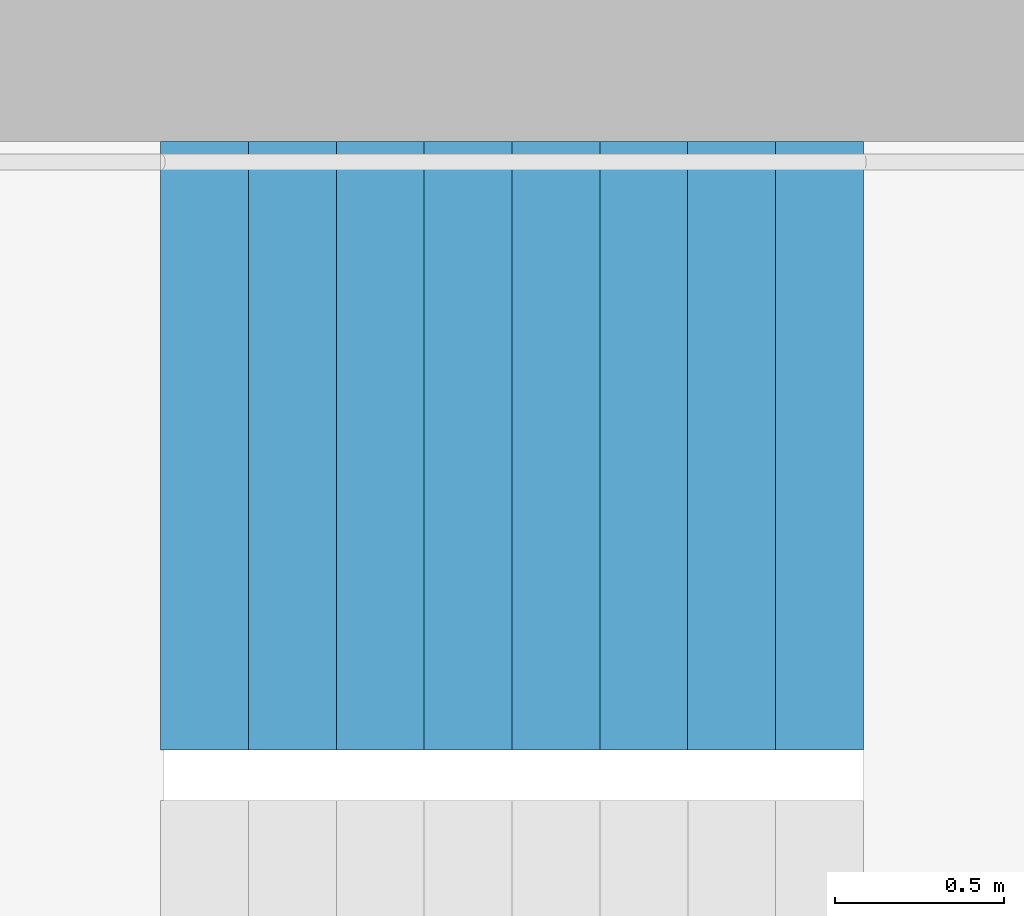
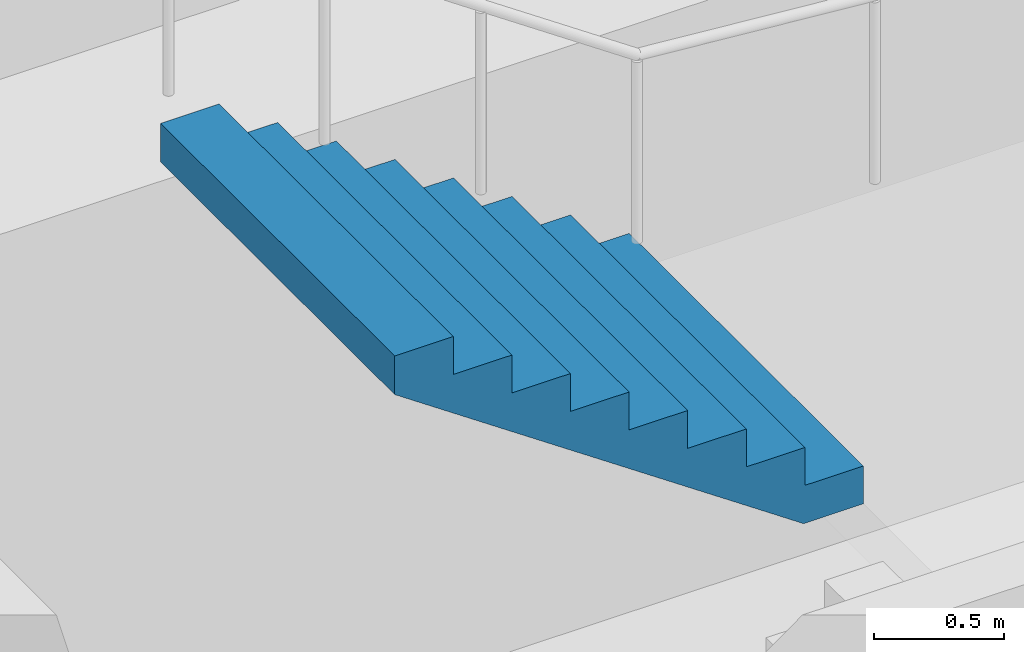
# One storey, part 19 of 28: 1 stair flight, 1 element without a shape of its own.
"""IFC4 building model written with IfcOpenShell, lengths in metres."""

from ifc_helpers import new_model, si_unit, direction, frame, origin, place, context, subcontext, project, spatial, triangles, material, type_object, element, aggregate, save


model = new_model("IFC4")

# Units and contexts
model_context = context("Model", 3, precision=1e-05, world=origin(), true_north=direction((0.0, 1.0)))
body_context = subcontext(model_context, "Body", "Model", "MODEL_VIEW")
ifc_project = project(units=[si_unit("LENGTHUNIT", "METRE"), si_unit("AREAUNIT", "SQUARE_METRE"), si_unit("VOLUMEUNIT", "CUBIC_METRE"), si_unit("PLANEANGLEUNIT", "RADIAN"), si_unit("MASSUNIT", "GRAM", prefix="KILO")], contexts=[model_context])

# Site, building, storey
site_placement = place(None, origin())
site = spatial("IfcSite", under=ifc_project, at=site_placement, CompositionType="ELEMENT")
building_placement = place(site_placement, origin())
building = spatial("IfcBuilding", under=site, at=building_placement, Name="Hakoniwa Tower and Hamabe Station Hall", CompositionType="ELEMENT")
storey_placement = place(building_placement, frame((0.0, 0.0, 218.60009765625)))
storey = spatial("IfcBuildingStorey", under=building, at=storey_placement, Name="L62", CompositionType="ELEMENT", Elevation=218.60009765625)

# Stair, stair flight
ifc_material_1 = material(Name="Concrete C40", Category="concrete")
stair_type = type_object("IfcStairType", Name="ESCAPE STAIR 1800", PredefinedType="HALF_TURN_STAIR", material=ifc_material_1)
stair_placement = place(storey_placement, origin())
stair = element("IfcStair", 1, at=stair_placement, inside=storey, type_object=stair_type, Name="Escape stair ST-1 L62", PredefinedType="HALF_TURN_STAIR")
ifc_material_2 = material(Name="Concrete C40", Category="concrete")
stair_flight_type = type_object("IfcStairFlightType", Name="STAIR FLIGHT 1800", PredefinedType="STRAIGHT", material=ifc_material_2)
stair_flight_placement = place(storey_placement, frame((-22.320068359375, 6.60009765625, 1.599853515625), z_axis=(0.0, 0.0, 1.0), x_axis=(-1.0, 0.0, 0.0)))
stair_flight = element("IfcStairFlight", 2, at=stair_flight_placement, type_object=stair_flight_type, Name="ST-1 flight 2", NumberOfRisers=9, NumberOfTreads=8, PredefinedType="STRAIGHT", RiserHeight=0.177777778, TreadLength=0.26, context=body_context, shape_type="Tessellation", body=[
    triangles([(0.0, 0.89990234375, 0.0), (0.260009765625, 0.89990234375, 0.0), (0.265625, 0.89990234375, 0.0), (0.52001953125, 0.89990234375, 0.174072265625), (0.780029296875, 0.89990234375, 0.351806640625), (1.0400390625, 0.89990234375, 0.529541015625), (1.300048828125, 0.89990234375, 0.707275390625), (1.56005859375, 0.89990234375, 0.885009765625), (1.820068359375, 0.89990234375, 1.062744140625), (2.080078125, 0.89990234375, 1.24072265625), (2.080078125, 0.89990234375, 1.422119140625), (1.820068359375, 0.89990234375, 1.422119140625), (1.820068359375, 0.89990234375, 1.244384765625), (1.56005859375, 0.89990234375, 1.244384765625), (1.56005859375, 0.89990234375, 1.066650390625), (1.300048828125, 0.89990234375, 1.066650390625), (1.300048828125, 0.89990234375, 0.888916015625), (1.0400390625, 0.89990234375, 0.888916015625), (1.0400390625, 0.89990234375, 0.711181640625), (0.780029296875, 0.89990234375, 0.711181640625), (0.780029296875, 0.89990234375, 0.533447265625), (0.52001953125, 0.89990234375, 0.533447265625), (0.52001953125, 0.89990234375, 0.35546875), (0.265625, 0.89990234375, 0.35546875), (0.260009765625, 0.89990234375, 0.35546875), (0.260009765625, 0.89990234375, 0.177734375), (0.0, 0.89990234375, 0.177734375), (0.0, 0.06005859375, 0.0), (0.260009765625, 0.06005859375, 0.0), (0.265625, 0.06005859375, 0.0), (0.52001953125, 0.06005859375, 0.174072265625), (0.780029296875, 0.06005859375, 0.351806640625), (1.0400390625, 0.06005859375, 0.529541015625), (1.300048828125, 0.06005859375, 0.707275390625), (1.56005859375, 0.06005859375, 0.885009765625), (1.820068359375, 0.06005859375, 1.062744140625), (2.080078125, 0.06005859375, 1.24072265625), (2.080078125, 0.06005859375, 1.422119140625), (1.820068359375, 0.06005859375, 1.422119140625), (1.820068359375, 0.06005859375, 1.244384765625), (1.56005859375, 0.06005859375, 1.244384765625), (1.56005859375, 0.06005859375, 1.066650390625), (1.300048828125, 0.06005859375, 1.066650390625), (1.300048828125, 0.06005859375, 0.888916015625), (1.0400390625, 0.06005859375, 0.888916015625), (1.0400390625, 0.06005859375, 0.711181640625), (0.780029296875, 0.06005859375, 0.711181640625), (0.780029296875, 0.06005859375, 0.533447265625), (0.52001953125, 0.06005859375, 0.533447265625), (0.52001953125, 0.06005859375, 0.35546875), (0.265625, 0.06005859375, 0.35546875), (0.260009765625, 0.06005859375, 0.35546875), (0.260009765625, 0.06005859375, 0.177734375), (0.0, 0.06005859375, 0.177734375), (0.0, 0.04296875, 0.0), (0.260009765625, 0.04296875, 0.0), (0.265625, 0.04296875, 0.0), (0.52001953125, 0.04296875, 0.174072265625), (0.780029296875, 0.04296875, 0.351806640625), (1.0400390625, 0.04296875, 0.529541015625), (1.300048828125, 0.04296875, 0.707275390625), (1.56005859375, 0.04296875, 0.885009765625), (1.820068359375, 0.04296875, 1.062744140625), (2.080078125, 0.04296875, 1.24072265625), (2.080078125, 0.04296875, 1.422119140625), (1.820068359375, 0.04296875, 1.422119140625), (1.820068359375, 0.04296875, 1.244384765625), (1.56005859375, 0.04296875, 1.244384765625), (1.56005859375, 0.04296875, 1.066650390625), (1.300048828125, 0.04296875, 1.066650390625), (1.300048828125, 0.04296875, 0.888916015625), (1.0400390625, 0.04296875, 0.888916015625), (1.0400390625, 0.04296875, 0.711181640625), (0.780029296875, 0.04296875, 0.711181640625), (0.780029296875, 0.04296875, 0.533447265625), (0.52001953125, 0.04296875, 0.533447265625), (0.52001953125, 0.04296875, 0.35546875), (0.265625, 0.04296875, 0.35546875), (0.260009765625, 0.04296875, 0.35546875), (0.260009765625, 0.04296875, 0.177734375), (0.0, 0.04296875, 0.177734375), (0.0, 0.025634765625, 0.0), (0.260009765625, 0.025634765625, 0.0), (0.265625, 0.025634765625, 0.0), (0.52001953125, 0.025634765625, 0.174072265625), (0.780029296875, 0.025634765625, 0.351806640625), (1.0400390625, 0.025634765625, 0.529541015625), (1.300048828125, 0.025634765625, 0.707275390625), (1.56005859375, 0.025634765625, 0.885009765625), (1.820068359375, 0.025634765625, 1.062744140625), (2.080078125, 0.025634765625, 1.24072265625), (2.080078125, 0.025634765625, 1.422119140625), (1.820068359375, 0.025634765625, 1.422119140625), (1.820068359375, 0.025634765625, 1.244384765625), (1.56005859375, 0.025634765625, 1.244384765625), (1.56005859375, 0.025634765625, 1.066650390625), (1.300048828125, 0.025634765625, 1.066650390625), (1.300048828125, 0.025634765625, 0.888916015625), (1.0400390625, 0.025634765625, 0.888916015625), (1.0400390625, 0.025634765625, 0.711181640625), (0.780029296875, 0.025634765625, 0.711181640625), (0.780029296875, 0.025634765625, 0.533447265625), (0.52001953125, 0.025634765625, 0.533447265625), (0.52001953125, 0.025634765625, 0.35546875), (0.265625, 0.025634765625, 0.35546875), (0.260009765625, 0.025634765625, 0.35546875), (0.260009765625, 0.025634765625, 0.177734375), (0.0, 0.025634765625, 0.177734375), (0.0, 0.008544921875, 0.0), (0.260009765625, 0.008544921875, 0.0), (0.265625, 0.008544921875, 0.0), (0.52001953125, 0.008544921875, 0.174072265625), (0.780029296875, 0.008544921875, 0.351806640625), (1.0400390625, 0.008544921875, 0.529541015625), (1.300048828125, 0.008544921875, 0.707275390625), (1.56005859375, 0.008544921875, 0.885009765625), (1.820068359375, 0.008544921875, 1.062744140625), (2.080078125, 0.008544921875, 1.24072265625), (2.080078125, 0.008544921875, 1.422119140625), (1.820068359375, 0.008544921875, 1.422119140625), (1.820068359375, 0.008544921875, 1.244384765625), (1.56005859375, 0.008544921875, 1.244384765625), (1.56005859375, 0.008544921875, 1.066650390625), (1.300048828125, 0.008544921875, 1.066650390625), (1.300048828125, 0.008544921875, 0.888916015625), (1.0400390625, 0.008544921875, 0.888916015625), (1.0400390625, 0.008544921875, 0.711181640625), (0.780029296875, 0.008544921875, 0.711181640625), (0.780029296875, 0.008544921875, 0.533447265625), (0.52001953125, 0.008544921875, 0.533447265625), (0.52001953125, 0.008544921875, 0.35546875), (0.265625, 0.008544921875, 0.35546875), (0.260009765625, 0.008544921875, 0.35546875), (0.260009765625, 0.008544921875, 0.177734375), (0.0, 0.008544921875, 0.177734375), (0.0, -0.008544921875, 0.0), (0.260009765625, -0.008544921875, 0.0), (0.265625, -0.008544921875, 0.0), (0.52001953125, -0.008544921875, 0.174072265625), (0.780029296875, -0.008544921875, 0.351806640625), (1.0400390625, -0.008544921875, 0.529541015625), (1.300048828125, -0.008544921875, 0.707275390625), (1.56005859375, -0.008544921875, 0.885009765625), (1.820068359375, -0.008544921875, 1.062744140625), (2.080078125, -0.008544921875, 1.24072265625), (2.080078125, -0.008544921875, 1.422119140625), (1.820068359375, -0.008544921875, 1.422119140625), (1.820068359375, -0.008544921875, 1.244384765625), (1.56005859375, -0.008544921875, 1.244384765625), (1.56005859375, -0.008544921875, 1.066650390625), (1.300048828125, -0.008544921875, 1.066650390625), (1.300048828125, -0.008544921875, 0.888916015625), (1.0400390625, -0.008544921875, 0.888916015625), (1.0400390625, -0.008544921875, 0.711181640625), (0.780029296875, -0.008544921875, 0.711181640625), (0.780029296875, -0.008544921875, 0.533447265625), (0.52001953125, -0.008544921875, 0.533447265625), (0.52001953125, -0.008544921875, 0.35546875), (0.265625, -0.008544921875, 0.35546875), (0.260009765625, -0.008544921875, 0.35546875), (0.260009765625, -0.008544921875, 0.177734375), (0.0, -0.008544921875, 0.177734375), (0.0, -0.025634765625, 0.0), (0.260009765625, -0.025634765625, 0.0), (0.265625, -0.025634765625, 0.0), (0.52001953125, -0.025634765625, 0.174072265625), (0.780029296875, -0.025634765625, 0.351806640625), (1.0400390625, -0.025634765625, 0.529541015625), (1.300048828125, -0.025634765625, 0.707275390625), (1.56005859375, -0.025634765625, 0.885009765625), (1.820068359375, -0.025634765625, 1.062744140625), (2.080078125, -0.025634765625, 1.24072265625), (2.080078125, -0.025634765625, 1.422119140625), (1.820068359375, -0.025634765625, 1.422119140625), (1.820068359375, -0.025634765625, 1.244384765625), (1.56005859375, -0.025634765625, 1.244384765625), (1.56005859375, -0.025634765625, 1.066650390625), (1.300048828125, -0.025634765625, 1.066650390625), (1.300048828125, -0.025634765625, 0.888916015625), (1.0400390625, -0.025634765625, 0.888916015625), (1.0400390625, -0.025634765625, 0.711181640625), (0.780029296875, -0.025634765625, 0.711181640625), (0.780029296875, -0.025634765625, 0.533447265625), (0.52001953125, -0.025634765625, 0.533447265625), (0.52001953125, -0.025634765625, 0.35546875), (0.265625, -0.025634765625, 0.35546875), (0.260009765625, -0.025634765625, 0.35546875), (0.260009765625, -0.025634765625, 0.177734375), (0.0, -0.025634765625, 0.177734375), (0.0, -0.04296875, 0.0), (0.260009765625, -0.04296875, 0.0), (0.265625, -0.04296875, 0.0), (0.52001953125, -0.04296875, 0.174072265625), (0.780029296875, -0.04296875, 0.351806640625), (1.0400390625, -0.04296875, 0.529541015625), (1.300048828125, -0.04296875, 0.707275390625), (1.56005859375, -0.04296875, 0.885009765625), (1.820068359375, -0.04296875, 1.062744140625), (2.080078125, -0.04296875, 1.24072265625), (2.080078125, -0.04296875, 1.422119140625), (1.820068359375, -0.04296875, 1.422119140625), (1.820068359375, -0.04296875, 1.244384765625), (1.56005859375, -0.04296875, 1.244384765625), (1.56005859375, -0.04296875, 1.066650390625), (1.300048828125, -0.04296875, 1.066650390625), (1.300048828125, -0.04296875, 0.888916015625), (1.0400390625, -0.04296875, 0.888916015625), (1.0400390625, -0.04296875, 0.711181640625), (0.780029296875, -0.04296875, 0.711181640625), (0.780029296875, -0.04296875, 0.533447265625), (0.52001953125, -0.04296875, 0.533447265625), (0.52001953125, -0.04296875, 0.35546875), (0.265625, -0.04296875, 0.35546875), (0.260009765625, -0.04296875, 0.35546875), (0.260009765625, -0.04296875, 0.177734375), (0.0, -0.04296875, 0.177734375), (0.0, -0.06005859375, 0.0), (0.260009765625, -0.06005859375, 0.0), (0.265625, -0.06005859375, 0.0), (0.52001953125, -0.06005859375, 0.174072265625), (0.780029296875, -0.06005859375, 0.351806640625), (1.0400390625, -0.06005859375, 0.529541015625), (1.300048828125, -0.06005859375, 0.707275390625), (1.56005859375, -0.06005859375, 0.885009765625), (1.820068359375, -0.06005859375, 1.062744140625), (2.080078125, -0.06005859375, 1.24072265625), (2.080078125, -0.06005859375, 1.422119140625), (1.820068359375, -0.06005859375, 1.422119140625), (1.820068359375, -0.06005859375, 1.244384765625), (1.56005859375, -0.06005859375, 1.244384765625), (1.56005859375, -0.06005859375, 1.066650390625), (1.300048828125, -0.06005859375, 1.066650390625), (1.300048828125, -0.06005859375, 0.888916015625), (1.0400390625, -0.06005859375, 0.888916015625), (1.0400390625, -0.06005859375, 0.711181640625), (0.780029296875, -0.06005859375, 0.711181640625), (0.780029296875, -0.06005859375, 0.533447265625), (0.52001953125, -0.06005859375, 0.533447265625), (0.52001953125, -0.06005859375, 0.35546875), (0.265625, -0.06005859375, 0.35546875), (0.260009765625, -0.06005859375, 0.35546875), (0.260009765625, -0.06005859375, 0.177734375), (0.0, -0.06005859375, 0.177734375), (0.0, -0.89990234375, 0.0), (0.260009765625, -0.89990234375, 0.0), (0.265625, -0.89990234375, 0.0), (0.52001953125, -0.89990234375, 0.174072265625), (0.780029296875, -0.89990234375, 0.351806640625), (1.0400390625, -0.89990234375, 0.529541015625), (1.300048828125, -0.89990234375, 0.707275390625), (1.56005859375, -0.89990234375, 0.885009765625), (1.820068359375, -0.89990234375, 1.062744140625), (2.080078125, -0.89990234375, 1.24072265625), (2.080078125, -0.89990234375, 1.422119140625), (1.820068359375, -0.89990234375, 1.422119140625), (1.820068359375, -0.89990234375, 1.244384765625), (1.56005859375, -0.89990234375, 1.244384765625), (1.56005859375, -0.89990234375, 1.066650390625), (1.300048828125, -0.89990234375, 1.066650390625), (1.300048828125, -0.89990234375, 0.888916015625), (1.0400390625, -0.89990234375, 0.888916015625), (1.0400390625, -0.89990234375, 0.711181640625), (0.780029296875, -0.89990234375, 0.711181640625), (0.780029296875, -0.89990234375, 0.533447265625), (0.52001953125, -0.89990234375, 0.533447265625), (0.52001953125, -0.89990234375, 0.35546875), (0.265625, -0.89990234375, 0.35546875), (0.260009765625, -0.89990234375, 0.35546875), (0.260009765625, -0.89990234375, 0.177734375), (0.0, -0.89990234375, 0.177734375)], [[2, 27, 26], [245, 269, 270], [2, 1, 27], [245, 270, 244], [3, 25, 24], [246, 267, 268], [3, 26, 25], [246, 268, 269], [3, 2, 26], [246, 269, 245], [4, 24, 23], [247, 266, 267], [4, 3, 24], [247, 267, 246], [5, 22, 21], [248, 264, 265], [5, 23, 22], [248, 265, 266], [5, 4, 23], [248, 266, 247], [6, 20, 19], [249, 262, 263], [6, 21, 20], [249, 263, 264], [6, 5, 21], [249, 264, 248], [7, 18, 17], [250, 260, 261], [7, 19, 18], [250, 261, 262], [7, 6, 19], [250, 262, 249], [8, 16, 15], [251, 258, 259], [8, 17, 16], [251, 259, 260], [8, 7, 17], [251, 260, 250], [9, 14, 13], [252, 256, 257], [9, 15, 14], [252, 257, 258], [9, 8, 15], [252, 258, 251], [10, 12, 11], [253, 254, 255], [10, 13, 12], [253, 255, 256], [10, 9, 13], [253, 256, 252], [1, 2, 29], [1, 29, 28], [28, 29, 56], [28, 56, 55], [55, 56, 83], [55, 83, 82], [82, 83, 110], [82, 110, 109], [109, 110, 137], [109, 137, 136], [136, 137, 164], [136, 164, 163], [163, 164, 191], [163, 191, 190], [190, 191, 218], [190, 218, 217], [217, 218, 245], [217, 245, 244], [2, 3, 30], [2, 30, 29], [29, 30, 57], [29, 57, 56], [56, 57, 84], [56, 84, 83], [83, 84, 111], [83, 111, 110], [110, 111, 138], [110, 138, 137], [137, 138, 165], [137, 165, 164], [164, 165, 192], [164, 192, 191], [191, 192, 219], [191, 219, 218], [218, 219, 246], [218, 246, 245], [3, 4, 31], [3, 31, 30], [30, 31, 58], [30, 58, 57], [57, 58, 85], [57, 85, 84], [84, 85, 112], [84, 112, 111], [111, 112, 139], [111, 139, 138], [138, 139, 166], [138, 166, 165], [165, 166, 193], [165, 193, 192], [192, 193, 220], [192, 220, 219], [219, 220, 247], [219, 247, 246], [4, 5, 32], [4, 32, 31], [31, 32, 59], [31, 59, 58], [58, 59, 86], [58, 86, 85], [85, 86, 113], [85, 113, 112], [112, 113, 140], [112, 140, 139], [139, 140, 167], [139, 167, 166], [166, 167, 194], [166, 194, 193], [193, 194, 221], [193, 221, 220], [220, 221, 248], [220, 248, 247], [5, 6, 33], [5, 33, 32], [32, 33, 60], [32, 60, 59], [59, 60, 87], [59, 87, 86], [86, 87, 114], [86, 114, 113], [113, 114, 141], [113, 141, 140], [140, 141, 168], [140, 168, 167], [167, 168, 195], [167, 195, 194], [194, 195, 222], [194, 222, 221], [221, 222, 249], [221, 249, 248], [6, 7, 34], [6, 34, 33], [33, 34, 61], [33, 61, 60], [60, 61, 88], [60, 88, 87], [87, 88, 115], [87, 115, 114], [114, 115, 142], [114, 142, 141], [141, 142, 169], [141, 169, 168], [168, 169, 196], [168, 196, 195], [195, 196, 223], [195, 223, 222], [222, 223, 250], [222, 250, 249], [7, 8, 35], [7, 35, 34], [34, 35, 62], [34, 62, 61], [61, 62, 89], [61, 89, 88], [88, 89, 116], [88, 116, 115], [115, 116, 143], [115, 143, 142], [142, 143, 170], [142, 170, 169], [169, 170, 197], [169, 197, 196], [196, 197, 224], [196, 224, 223], [223, 224, 251], [223, 251, 250], [8, 9, 36], [8, 36, 35], [35, 36, 63], [35, 63, 62], [62, 63, 90], [62, 90, 89], [89, 90, 117], [89, 117, 116], [116, 117, 144], [116, 144, 143], [143, 144, 171], [143, 171, 170], [170, 171, 198], [170, 198, 197], [197, 198, 225], [197, 225, 224], [224, 225, 252], [224, 252, 251], [9, 10, 37], [9, 37, 36], [36, 37, 64], [36, 64, 63], [63, 64, 91], [63, 91, 90], [90, 91, 118], [90, 118, 117], [117, 118, 145], [117, 145, 144], [144, 145, 172], [144, 172, 171], [171, 172, 199], [171, 199, 198], [198, 199, 226], [198, 226, 225], [225, 226, 253], [225, 253, 252], [10, 11, 38], [10, 38, 37], [37, 38, 65], [37, 65, 64], [64, 65, 92], [64, 92, 91], [91, 92, 119], [91, 119, 118], [118, 119, 146], [118, 146, 145], [145, 146, 173], [145, 173, 172], [172, 173, 200], [172, 200, 199], [199, 200, 227], [199, 227, 226], [226, 227, 254], [226, 254, 253], [11, 12, 39], [11, 39, 38], [38, 39, 66], [38, 66, 65], [65, 66, 93], [65, 93, 92], [92, 93, 120], [92, 120, 119], [119, 120, 147], [119, 147, 146], [146, 147, 174], [146, 174, 173], [173, 174, 201], [173, 201, 200], [200, 201, 228], [200, 228, 227], [227, 228, 255], [227, 255, 254], [12, 13, 40], [12, 40, 39], [39, 40, 67], [39, 67, 66], [66, 67, 94], [66, 94, 93], [93, 94, 121], [93, 121, 120], [120, 121, 148], [120, 148, 147], [147, 148, 175], [147, 175, 174], [174, 175, 202], [174, 202, 201], [201, 202, 229], [201, 229, 228], [228, 229, 256], [228, 256, 255], [13, 14, 41], [13, 41, 40], [40, 41, 68], [40, 68, 67], [67, 68, 95], [67, 95, 94], [94, 95, 122], [94, 122, 121], [121, 122, 149], [121, 149, 148], [148, 149, 176], [148, 176, 175], [175, 176, 203], [175, 203, 202], [202, 203, 230], [202, 230, 229], [229, 230, 257], [229, 257, 256], [14, 15, 42], [14, 42, 41], [41, 42, 69], [41, 69, 68], [68, 69, 96], [68, 96, 95], [95, 96, 123], [95, 123, 122], [122, 123, 150], [122, 150, 149], [149, 150, 177], [149, 177, 176], [176, 177, 204], [176, 204, 203], [203, 204, 231], [203, 231, 230], [230, 231, 258], [230, 258, 257], [15, 16, 43], [15, 43, 42], [42, 43, 70], [42, 70, 69], [69, 70, 97], [69, 97, 96], [96, 97, 124], [96, 124, 123], [123, 124, 151], [123, 151, 150], [150, 151, 178], [150, 178, 177], [177, 178, 205], [177, 205, 204], [204, 205, 232], [204, 232, 231], [231, 232, 259], [231, 259, 258], [16, 17, 44], [16, 44, 43], [43, 44, 71], [43, 71, 70], [70, 71, 98], [70, 98, 97], [97, 98, 125], [97, 125, 124], [124, 125, 152], [124, 152, 151], [151, 152, 179], [151, 179, 178], [178, 179, 206], [178, 206, 205], [205, 206, 233], [205, 233, 232], [232, 233, 260], [232, 260, 259], [17, 18, 45], [17, 45, 44], [44, 45, 72], [44, 72, 71], [71, 72, 99], [71, 99, 98], [98, 99, 126], [98, 126, 125], [125, 126, 153], [125, 153, 152], [152, 153, 180], [152, 180, 179], [179, 180, 207], [179, 207, 206], [206, 207, 234], [206, 234, 233], [233, 234, 261], [233, 261, 260], [18, 19, 46], [18, 46, 45], [45, 46, 73], [45, 73, 72], [72, 73, 100], [72, 100, 99], [99, 100, 127], [99, 127, 126], [126, 127, 154], [126, 154, 153], [153, 154, 181], [153, 181, 180], [180, 181, 208], [180, 208, 207], [207, 208, 235], [207, 235, 234], [234, 235, 262], [234, 262, 261], [19, 20, 47], [19, 47, 46], [46, 47, 74], [46, 74, 73], [73, 74, 101], [73, 101, 100], [100, 101, 128], [100, 128, 127], [127, 128, 155], [127, 155, 154], [154, 155, 182], [154, 182, 181], [181, 182, 209], [181, 209, 208], [208, 209, 236], [208, 236, 235], [235, 236, 263], [235, 263, 262], [20, 21, 48], [20, 48, 47], [47, 48, 75], [47, 75, 74], [74, 75, 102], [74, 102, 101], [101, 102, 129], [101, 129, 128], [128, 129, 156], [128, 156, 155], [155, 156, 183], [155, 183, 182], [182, 183, 210], [182, 210, 209], [209, 210, 237], [209, 237, 236], [236, 237, 264], [236, 264, 263], [21, 22, 49], [21, 49, 48], [48, 49, 76], [48, 76, 75], [75, 76, 103], [75, 103, 102], [102, 103, 130], [102, 130, 129], [129, 130, 157], [129, 157, 156], [156, 157, 184], [156, 184, 183], [183, 184, 211], [183, 211, 210], [210, 211, 238], [210, 238, 237], [237, 238, 265], [237, 265, 264], [22, 23, 50], [22, 50, 49], [49, 50, 77], [49, 77, 76], [76, 77, 104], [76, 104, 103], [103, 104, 131], [103, 131, 130], [130, 131, 158], [130, 158, 157], [157, 158, 185], [157, 185, 184], [184, 185, 212], [184, 212, 211], [211, 212, 239], [211, 239, 238], [238, 239, 266], [238, 266, 265], [23, 24, 51], [23, 51, 50], [50, 51, 78], [50, 78, 77], [77, 78, 105], [77, 105, 104], [104, 105, 132], [104, 132, 131], [131, 132, 159], [131, 159, 158], [158, 159, 186], [158, 186, 185], [185, 186, 213], [185, 213, 212], [212, 213, 240], [212, 240, 239], [239, 240, 267], [239, 267, 266], [24, 25, 52], [24, 52, 51], [51, 52, 79], [51, 79, 78], [78, 79, 106], [78, 106, 105], [105, 106, 133], [105, 133, 132], [132, 133, 160], [132, 160, 159], [159, 160, 187], [159, 187, 186], [186, 187, 214], [186, 214, 213], [213, 214, 241], [213, 241, 240], [240, 241, 268], [240, 268, 267], [25, 26, 53], [25, 53, 52], [52, 53, 80], [52, 80, 79], [79, 80, 107], [79, 107, 106], [106, 107, 134], [106, 134, 133], [133, 134, 161], [133, 161, 160], [160, 161, 188], [160, 188, 187], [187, 188, 215], [187, 215, 214], [214, 215, 242], [214, 242, 241], [241, 242, 269], [241, 269, 268], [26, 27, 54], [26, 54, 53], [53, 54, 81], [53, 81, 80], [80, 81, 108], [80, 108, 107], [107, 108, 135], [107, 135, 134], [134, 135, 162], [134, 162, 161], [161, 162, 189], [161, 189, 188], [188, 189, 216], [188, 216, 215], [215, 216, 243], [215, 243, 242], [242, 243, 270], [242, 270, 269], [27, 1, 28], [27, 28, 54], [54, 28, 55], [54, 55, 81], [81, 55, 82], [81, 82, 108], [108, 82, 109], [108, 109, 135], [135, 109, 136], [135, 136, 162], [162, 136, 163], [162, 163, 189], [189, 163, 190], [189, 190, 216], [216, 190, 217], [216, 217, 243], [243, 217, 244], [243, 244, 270]], closed=True),
])
aggregate(stair, [stair_flight])

save(model, "model.ifc")
